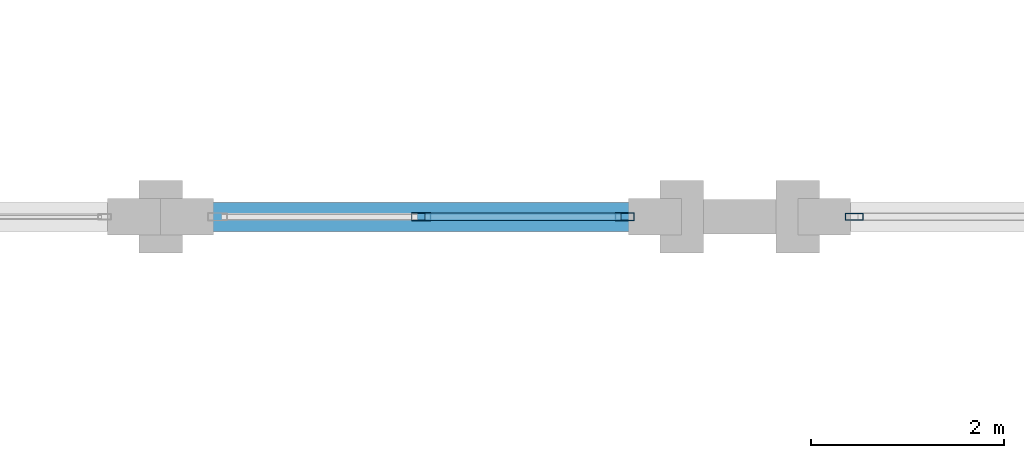
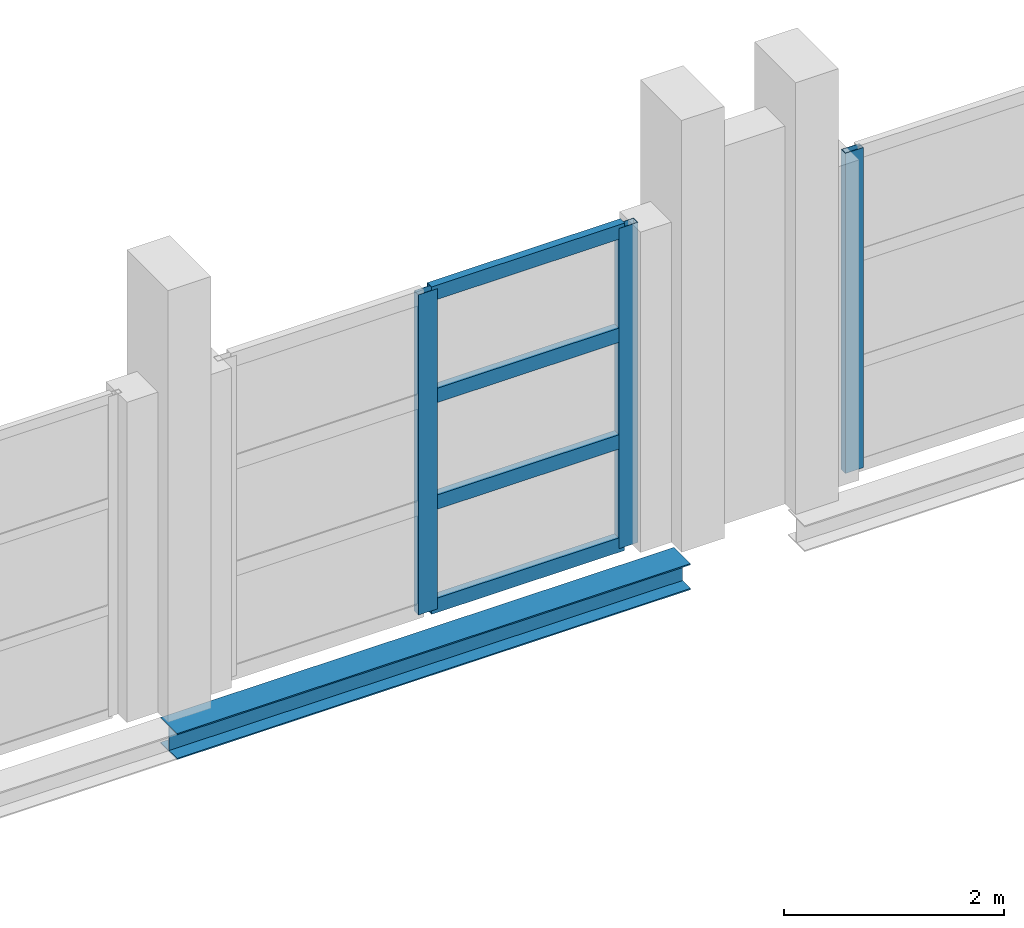
# One storey, part 62 of 147: 7 members, 1 beam, 2 elements without a shape of their own.
"""IFC4 building model written with IfcOpenShell, lengths in metres."""

from ifc_helpers import new_model, si_unit, direction, frame, origin, origin_2d, place, context, subcontext, project, spatial, hollow_rectangle, i_section, extrude, material, layer, layer_set, material_profile, profile_set, type_object, element, aggregate, save


model = new_model("IFC4")

# Units and contexts
model_context = context("Model", 3, precision=1e-05, world=origin(), true_north=direction((0.0, 1.0)))
body_context = subcontext(model_context, "Body", "Model", "MODEL_VIEW")
ifc_project = project(units=[si_unit("LENGTHUNIT", "METRE"), si_unit("AREAUNIT", "SQUARE_METRE"), si_unit("VOLUMEUNIT", "CUBIC_METRE"), si_unit("PLANEANGLEUNIT", "RADIAN"), si_unit("MASSUNIT", "GRAM", prefix="KILO")], contexts=[model_context])

# Site, building, storey
site_placement = place(None, origin())
site = spatial("IfcSite", under=ifc_project, at=site_placement, CompositionType="ELEMENT")
building_placement = place(site_placement, origin())
building = spatial("IfcBuilding", under=site, at=building_placement, Name="Zilviju Railside Exhibition Hall", CompositionType="ELEMENT")
storey_placement = place(building_placement, frame((0.0, 0.0, 8.39990234375)))
storey = spatial("IfcBuildingStorey", under=building, at=storey_placement, Name="L03", CompositionType="ELEMENT", Elevation=8.39990234375)

# Beam
ifc_material_1 = material(Name="Steel S355J2", Category="steel")
ifc_material_profile_1 = material_profile(ifc_material_1, i_section(OverallWidth=0.300048828125, OverallDepth=0.2900390625, WebThickness=0.008544921875, FlangeThickness=0.013916015625, at=origin_2d()), Name="HEA 300")
ifc_profile_set_1 = profile_set([ifc_material_profile_1], Name="Steel S355J2")
beam_type = type_object("IfcBeamType", Name="BM-HEA300", PredefinedType="SPANDREL", material=ifc_profile_set_1)
beam_placement = place(storey_placement, frame((120.0, 54.0, -0.48486328125), z_axis=(1.0, 0.0, 0.0), x_axis=(0.0, 1.0, 0.0)))
element("IfcBeam", 1, at=beam_placement, inside=storey, type_object=beam_type, Name="Primary Girder L03 Y=54.0 (120.0..125.4)", PredefinedType="SPANDREL", context=body_context, shape_type="SweptSolid", body=[
    extrude(i_section(OverallWidth=0.300048828125, OverallDepth=0.2900390625, WebThickness=0.008544921875, FlangeThickness=0.013916015625, at=origin_2d()), origin(), (0.0, 0.0, 1.0), 5.39990234375),
])

# Curtain wall, member
ifc_material_2 = material(Name="Thermally broken aluminium-steel triple-glazed curtain wall", Category="steel")
ifc_layer_1 = layer(ifc_material_2, 0.179931640625)
ifc_layer_set_1 = layer_set([ifc_layer_1], Name="Thermally broken aluminium-steel triple-glazed curtain wall")
curtain_wall_type_1 = type_object("IfcCurtainWallType", Name="CW-BAY-07", PredefinedType="USERDEFINED", material=ifc_layer_set_1)
curtain_wall_1_placement = place(storey_placement, origin())
curtain_wall_1 = element("IfcCurtainWall", 2, at=curtain_wall_1_placement, inside=storey, type_object=curtain_wall_type_1, Name="South Hall Garden Court Curtain Wall L03 (127..132)", ObjectType="GLAZED CURTAIN WALL", PredefinedType="USERDEFINED")
ifc_material_3 = material(Name="Thermally broken anodized aluminium mullion", Category="aluminium")
ifc_material_profile_2 = material_profile(ifc_material_3, hollow_rectangle(XDim=0.074951171875, YDim=0.18994140625, WallThickness=0.0048828125, at=origin_2d()), Name="MULLION 190x75x5")
ifc_profile_set_2 = profile_set([ifc_material_profile_2], Name="Thermally broken anodized aluminium mullion")
member_type_1 = type_object("IfcMemberType", Name="CWM-75x190", PredefinedType="MULLION", material=ifc_profile_set_2)
member_1_placement = place(storey_placement, frame((127.1875, 54.0, 0.0), z_axis=(0.0, 0.0, 1.0), x_axis=(0.0, 1.0, 0.0)))
member_1 = element("IfcMember", 3, at=member_1_placement, type_object=member_type_1, Name="CW-07 mullion 1", PredefinedType="MULLION", context=body_context, shape_type="SweptSolid", body=[
    extrude(hollow_rectangle(XDim=0.074951171875, YDim=0.18994140625, WallThickness=0.0048828125, at=origin_2d()), origin(), (0.0, 0.0, 1.0), 3.56005859375),
])
aggregate(curtain_wall_1, [member_1])

# Curtain wall, members
ifc_layer_2 = layer(ifc_material_2, 0.179931640625)
ifc_layer_set_2 = layer_set([ifc_layer_2], Name="Thermally broken aluminium-steel triple-glazed curtain wall")
curtain_wall_type_2 = type_object("IfcCurtainWallType", Name="CW-BAY-06", PredefinedType="USERDEFINED", material=ifc_layer_set_2)
curtain_wall_2_placement = place(storey_placement, origin())
curtain_wall_2 = element("IfcCurtainWall", 4, at=curtain_wall_2_placement, inside=storey, type_object=curtain_wall_type_2, Name="South Hall Garden Court Curtain Wall L03 (120..125)", ObjectType="GLAZED CURTAIN WALL", PredefinedType="USERDEFINED")
ifc_material_profile_3 = material_profile(ifc_material_3, hollow_rectangle(XDim=0.080078125, YDim=0.199951171875, WallThickness=0.0048828125, at=origin_2d()), Name="MULLION 200x80x5")
ifc_profile_set_3 = profile_set([ifc_material_profile_3], Name="Thermally broken anodized aluminium mullion")
member_type_2 = type_object("IfcMemberType", Name="CWM-80x200", PredefinedType="MULLION", material=ifc_profile_set_3)
member_2_placement = place(storey_placement, frame((122.699951171875, 54.0, 0.0), z_axis=(0.0, 0.0, 1.0), x_axis=(0.0, 1.0, 0.0)))
member_2 = element("IfcMember", 5, at=member_2_placement, type_object=member_type_2, Name="CW-06 mullion 2", PredefinedType="MULLION", context=body_context, shape_type="SweptSolid", body=[
    extrude(hollow_rectangle(XDim=0.080078125, YDim=0.199951171875, WallThickness=0.0048828125, at=origin_2d()), origin(), (0.0, 0.0, 1.0), 3.56005859375),
])
member_3_placement = place(storey_placement, frame((124.81005859375, 54.0, 0.0), z_axis=(0.0, 0.0, 1.0), x_axis=(0.0, 1.0, 0.0)))
member_3 = element("IfcMember", 6, at=member_3_placement, type_object=member_type_2, Name="CW-06 mullion 3", PredefinedType="MULLION", context=body_context, shape_type="SweptSolid", body=[
    extrude(hollow_rectangle(XDim=0.080078125, YDim=0.199951171875, WallThickness=0.0048828125, at=origin_2d()), origin(), (0.0, 0.0, 1.0), 3.56005859375),
])
ifc_material_4 = material(Name="Thermally broken anodized aluminium transom", Category="aluminium")
ifc_material_profile_4 = material_profile(ifc_material_4, hollow_rectangle(XDim=0.080078125, YDim=0.159912109375, WallThickness=0.0048828125, at=origin_2d()), Name="TRANSOM 160x80x5")
ifc_profile_set_4 = profile_set([ifc_material_profile_4], Name="Thermally broken anodized aluminium transom")
member_type_3 = type_object("IfcMemberType", Name="CWT-80x160", PredefinedType="USERDEFINED", material=ifc_profile_set_4)
member_4_placement = place(storey_placement, frame((122.739990234375, 54.0, 0.0400390625), z_axis=(1.0, 0.0, 0.0), x_axis=(0.0, 1.0, 0.0)))
member_4 = element("IfcMember", 7, at=member_4_placement, type_object=member_type_3, Name="CW-06 transom 2.1", ObjectType="TRANSOM", PredefinedType="USERDEFINED", context=body_context, shape_type="SweptSolid", body=[
    extrude(hollow_rectangle(XDim=0.080078125, YDim=0.159912109375, WallThickness=0.0048828125, at=origin_2d()), origin(), (0.0, 0.0, 1.0), 2.030029296875),
])
member_5_placement = place(storey_placement, frame((122.739990234375, 54.0, 1.18701171875), z_axis=(1.0, 0.0, 0.0), x_axis=(0.0, 1.0, 0.0)))
member_5 = element("IfcMember", 8, at=member_5_placement, type_object=member_type_3, Name="CW-06 transom 2.2", ObjectType="TRANSOM", PredefinedType="USERDEFINED", context=body_context, shape_type="SweptSolid", body=[
    extrude(hollow_rectangle(XDim=0.080078125, YDim=0.159912109375, WallThickness=0.0048828125, at=origin_2d()), origin(), (0.0, 0.0, 1.0), 2.030029296875),
])
member_6_placement = place(storey_placement, frame((122.739990234375, 54.0, 2.373046875), z_axis=(1.0, 0.0, 0.0), x_axis=(0.0, 1.0, 0.0)))
member_6 = element("IfcMember", 9, at=member_6_placement, type_object=member_type_3, Name="CW-06 transom 2.3", ObjectType="TRANSOM", PredefinedType="USERDEFINED", context=body_context, shape_type="SweptSolid", body=[
    extrude(hollow_rectangle(XDim=0.080078125, YDim=0.159912109375, WallThickness=0.0048828125, at=origin_2d()), origin(), (0.0, 0.0, 1.0), 2.030029296875),
])
member_7_placement = place(storey_placement, frame((122.739990234375, 54.0, 3.52001953125), z_axis=(1.0, 0.0, 0.0), x_axis=(0.0, 1.0, 0.0)))
member_7 = element("IfcMember", 10, at=member_7_placement, type_object=member_type_3, Name="CW-06 transom 2.4", ObjectType="TRANSOM", PredefinedType="USERDEFINED", context=body_context, shape_type="SweptSolid", body=[
    extrude(hollow_rectangle(XDim=0.080078125, YDim=0.159912109375, WallThickness=0.0048828125, at=origin_2d()), origin(), (0.0, 0.0, 1.0), 2.030029296875),
])
aggregate(curtain_wall_2, [member_2, member_3, member_4, member_5, member_6, member_7])

save(model, "model.ifc")
